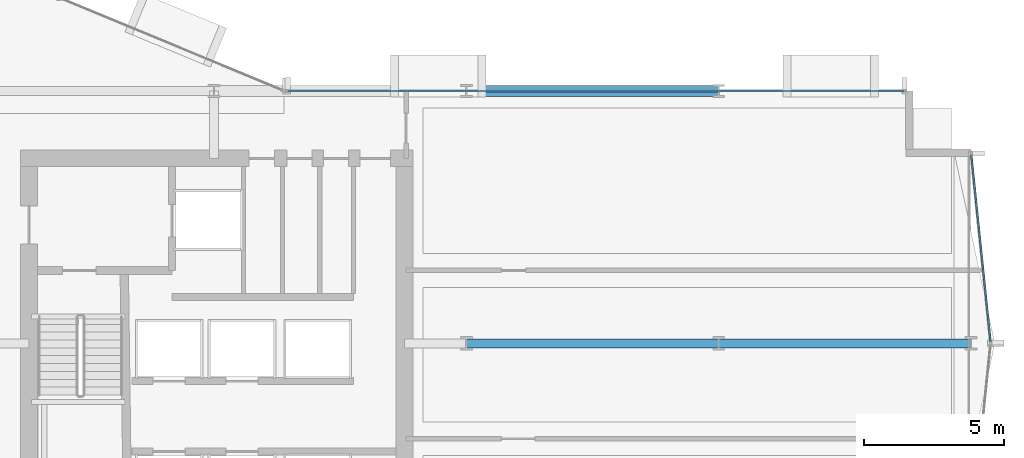
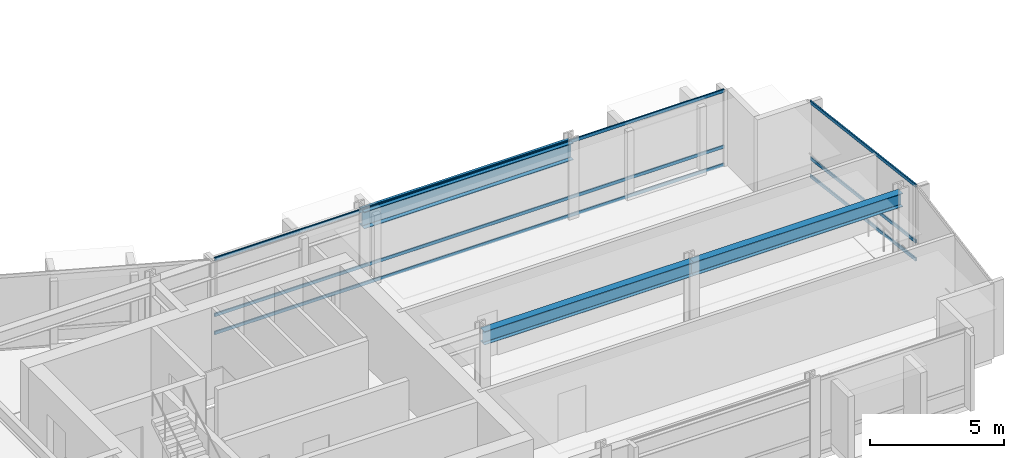
# One storey, part 16 of 34: 6 members, 3 beams, 2 elements without a shape of their own.
"""IFC4 building model written with IfcOpenShell, lengths in metres."""

from ifc_helpers import new_model, si_unit, direction, frame, origin, origin_2d, place, context, subcontext, project, spatial, hollow_rectangle, i_section, extrude, material, layer, layer_set, material_profile, profile_set, type_object, element, aggregate, save


model = new_model("IFC4")

# Units and contexts
model_context = context("Model", 3, precision=1e-05, world=origin(), true_north=direction((0.0, 1.0)))
body_context = subcontext(model_context, "Body", "Model", "MODEL_VIEW")
ifc_project = project(units=[si_unit("LENGTHUNIT", "METRE"), si_unit("AREAUNIT", "SQUARE_METRE"), si_unit("VOLUMEUNIT", "CUBIC_METRE"), si_unit("PLANEANGLEUNIT", "RADIAN"), si_unit("MASSUNIT", "GRAM", prefix="KILO")], contexts=[model_context])

# Site, building, storey
site_placement = place(None, origin())
site = spatial("IfcSite", under=ifc_project, at=site_placement, CompositionType="ELEMENT")
building_placement = place(site_placement, origin())
building = spatial("IfcBuilding", under=site, at=building_placement, Name="Solvaryn Broadcast Tower", CompositionType="ELEMENT")
storey_placement = place(building_placement, frame((0.0, 0.0, 69.300048828125)))
storey = spatial("IfcBuildingStorey", under=building, at=storey_placement, Name="L16", CompositionType="ELEMENT", Elevation=69.300048828125)

# Beams
ifc_material_1 = material(Name="Steel ASTM A992 Grade 50", Category="steel")
ifc_material_profile_1 = material_profile(ifc_material_1, i_section(OverallWidth=0.323974609375, OverallDepth=0.611083984375, WebThickness=0.0126953125, FlangeThickness=0.01904296875, FilletRadius=0.014892578125, at=origin_2d()))
ifc_profile_set_1 = profile_set([ifc_material_profile_1], Name="Steel ASTM A992 Grade 50")
beam_type_1 = type_object("IfcBeamType", Name="BM-B1-W24X104", PredefinedType="BEAM", material=ifc_profile_set_1)
for number, where, z_axis, x_axis, name in (
    (1, (45.0, 18.0, 3.114501953125), (1.0, 0.0, 0.0), (0.0, 1.0, 0.0), "L16 Primary Beam X (45-54 @ Y=18)"),
    (2, (54.0, 18.0, 3.114501953125), (1.0, 0.0, 0.0), (0.0, 1.0, 0.0), "L16 Primary Beam X (54-63 @ Y=18)"),
):
    element("IfcBeam", number, at=place(storey_placement, frame(where, z_axis=z_axis, x_axis=x_axis)), inside=storey, type_object=beam_type_1, Name=name, PredefinedType="BEAM", context=body_context, shape_type="SweptSolid", body=[
        extrude(i_section(OverallWidth=0.323974609375, OverallDepth=0.611083984375, WebThickness=0.0126953125, FlangeThickness=0.01904296875, FilletRadius=0.014892578125, at=origin_2d()), origin(), (0.0, 0.0, 1.0), 9.0),
    ])
ifc_material_2 = material(Name="Steel ASTM A992 Grade 50", Category="steel")
ifc_material_profile_2 = material_profile(ifc_material_2, i_section(OverallWidth=0.381103515625, OverallDepth=0.77294921875, WebThickness=0.0166015625, FlangeThickness=0.027099609375, FilletRadius=0.01806640625, at=origin_2d()))
ifc_profile_set_2 = profile_set([ifc_material_profile_2], Name="Steel ASTM A992 Grade 50")
beam_type_2 = type_object("IfcBeamType", Name="BM-SP1-W30X173", PredefinedType="USERDEFINED", material=ifc_profile_set_2)
beam_placement = place(storey_placement, frame((45.0, 27.0, 3.033447265625), z_axis=(1.0, 0.0, 0.0), x_axis=(0.0, 1.0, 0.0)))
element("IfcBeam", 3, at=beam_placement, inside=storey, type_object=beam_type_2, Name="L16 Spandrel Beam X (45-54 @ Y=27)", ObjectType="SPANDREL", PredefinedType="USERDEFINED", context=body_context, shape_type="SweptSolid", body=[
    extrude(i_section(OverallWidth=0.381103515625, OverallDepth=0.77294921875, WebThickness=0.0166015625, FlangeThickness=0.027099609375, FilletRadius=0.01806640625, at=origin_2d()), origin(), (0.0, 0.0, 1.0), 9.0),
])

# Curtain wall, members
ifc_material_3 = material(Name="Aluminium and Terracotta Unitised Curtain Wall", Category="masonry")
ifc_layer = layer(ifc_material_3, 0.199951171875)
ifc_layer_set = layer_set([ifc_layer], Name="CW-SYS2-LOWMID")
curtain_wall_type = type_object("IfcCurtainWallType", Name="CW-SYS2-LOWMID", PredefinedType="NOTDEFINED", material=ifc_layer_set)
curtain_wall_1_placement = place(storey_placement, origin())
curtain_wall_1 = element("IfcCurtainWall", 4, at=curtain_wall_1_placement, inside=storey, type_object=curtain_wall_type, Name="L16 Curtain Wall ET1", PredefinedType="NOTDEFINED")
ifc_material_4 = material(Name="Anodised Aluminium 6063-T6", Category="aluminium")
ifc_material_profile_3 = material_profile(ifc_material_4, hollow_rectangle(XDim=0.06494140625, YDim=0.14990234375, WallThickness=0.00390625, InnerFilletRadius=0.00390625, OuterFilletRadius=0.008056640625, at=origin_2d()))
ifc_profile_set_3 = profile_set([ifc_material_profile_3], Name="Anodised Aluminium 6063-T6")
member_type = type_object("IfcMemberType", Name="CW-TRN-150", PredefinedType="USERDEFINED", material=ifc_profile_set_3)
member_1_placement = place(storey_placement, frame((63.006103515625, 24.740234375, 0.030029296875), z_axis=(0.102404277363, -0.994742863245, 0.0), x_axis=(0.994742863245, 0.102404277363, 0.0)))
member_1 = element("IfcMember", 5, at=member_1_placement, type_object=member_type, Name="CWS2 transom 1.1", ObjectType="TRANSOM", PredefinedType="USERDEFINED", context=body_context, shape_type="SweptSolid", body=[
    extrude(hollow_rectangle(XDim=0.06494140625, YDim=0.14990234375, WallThickness=0.00390625, InnerFilletRadius=0.00390625, OuterFilletRadius=0.008056640625, at=origin_2d()), origin(), (0.0, 0.0, 1.0), 6.716064453125),
])
member_2_placement = place(storey_placement, frame((63.006103515625, 24.740234375, 0.849853515625), z_axis=(0.102404277363, -0.994742863245, 0.0), x_axis=(0.994742863245, 0.102404277363, 0.0)))
member_2 = element("IfcMember", 6, at=member_2_placement, type_object=member_type, Name="CWS2 transom 1.2", ObjectType="TRANSOM", PredefinedType="USERDEFINED", context=body_context, shape_type="SweptSolid", body=[
    extrude(hollow_rectangle(XDim=0.06494140625, YDim=0.14990234375, WallThickness=0.00390625, InnerFilletRadius=0.00390625, OuterFilletRadius=0.008056640625, at=origin_2d()), origin(), (0.0, 0.0, 1.0), 6.716064453125),
])
member_3_placement = place(storey_placement, frame((63.006103515625, 24.740234375, 3.389892578125), z_axis=(0.102404277363, -0.994742863245, 0.0), x_axis=(0.994742863245, 0.102404277363, 0.0)))
member_3 = element("IfcMember", 7, at=member_3_placement, type_object=member_type, Name="CWS2 transom 1.3", ObjectType="TRANSOM", PredefinedType="USERDEFINED", context=body_context, shape_type="SweptSolid", body=[
    extrude(hollow_rectangle(XDim=0.06494140625, YDim=0.14990234375, WallThickness=0.00390625, InnerFilletRadius=0.00390625, OuterFilletRadius=0.008056640625, at=origin_2d()), origin(), (0.0, 0.0, 1.0), 6.716064453125),
])
aggregate(curtain_wall_1, [member_1, member_2, member_3])

curtain_wall_2_placement = place(storey_placement, origin())
curtain_wall_2 = element("IfcCurtainWall", 8, at=curtain_wall_2_placement, inside=storey, type_object=curtain_wall_type, Name="L16 Curtain Wall IH", PredefinedType="NOTDEFINED")
member_4_placement = place(storey_placement, frame((38.659912109375, 27.0, 0.030029296875), z_axis=(1.0, 0.0, 0.0), x_axis=(0.0, 1.0, 0.0)))
member_4 = element("IfcMember", 9, at=member_4_placement, type_object=member_type, Name="CWS2 transom 1.1", ObjectType="TRANSOM", PredefinedType="USERDEFINED", context=body_context, shape_type="SweptSolid", body=[
    extrude(hollow_rectangle(XDim=0.06494140625, YDim=0.14990234375, WallThickness=0.00390625, InnerFilletRadius=0.00390625, OuterFilletRadius=0.008056640625, at=origin_2d()), origin(), (0.0, 0.0, 1.0), 21.93017578125),
])
member_5_placement = place(storey_placement, frame((38.659912109375, 27.0, 0.849853515625), z_axis=(1.0, 0.0, 0.0), x_axis=(0.0, 1.0, 0.0)))
member_5 = element("IfcMember", 10, at=member_5_placement, type_object=member_type, Name="CWS2 transom 1.2", ObjectType="TRANSOM", PredefinedType="USERDEFINED", context=body_context, shape_type="SweptSolid", body=[
    extrude(hollow_rectangle(XDim=0.06494140625, YDim=0.14990234375, WallThickness=0.00390625, InnerFilletRadius=0.00390625, OuterFilletRadius=0.008056640625, at=origin_2d()), origin(), (0.0, 0.0, 1.0), 21.93017578125),
])
member_6_placement = place(storey_placement, frame((38.659912109375, 27.0, 3.389892578125), z_axis=(1.0, 0.0, 0.0), x_axis=(0.0, 1.0, 0.0)))
member_6 = element("IfcMember", 11, at=member_6_placement, type_object=member_type, Name="CWS2 transom 1.3", ObjectType="TRANSOM", PredefinedType="USERDEFINED", context=body_context, shape_type="SweptSolid", body=[
    extrude(hollow_rectangle(XDim=0.06494140625, YDim=0.14990234375, WallThickness=0.00390625, InnerFilletRadius=0.00390625, OuterFilletRadius=0.008056640625, at=origin_2d()), origin(), (0.0, 0.0, 1.0), 21.93017578125),
])
aggregate(curtain_wall_2, [member_4, member_5, member_6])

save(model, "model.ifc")
